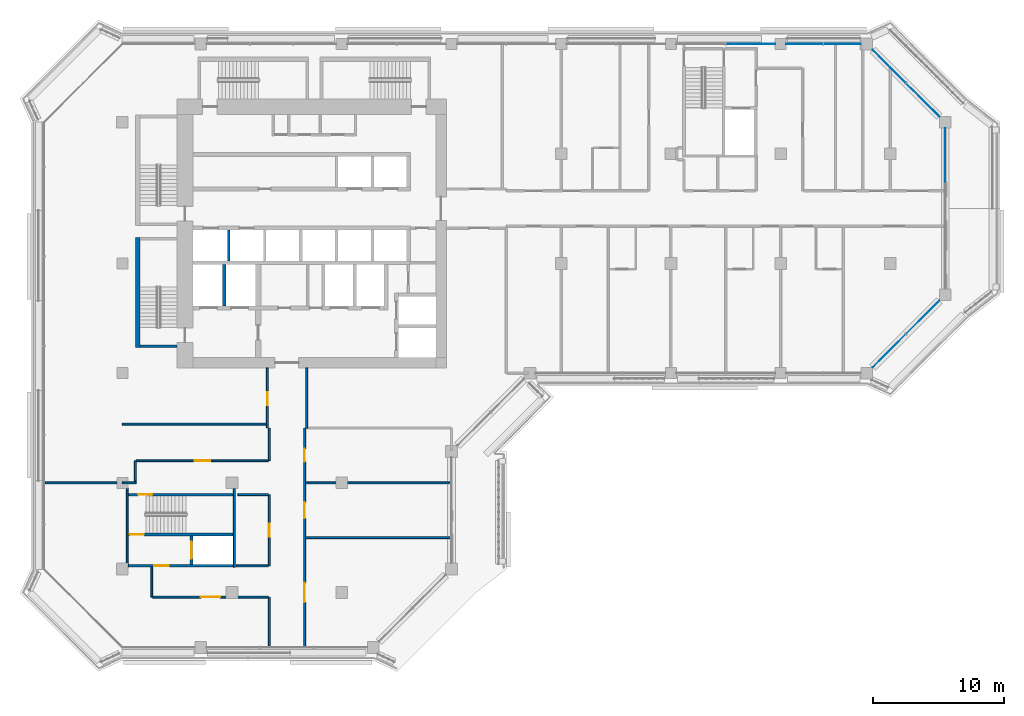
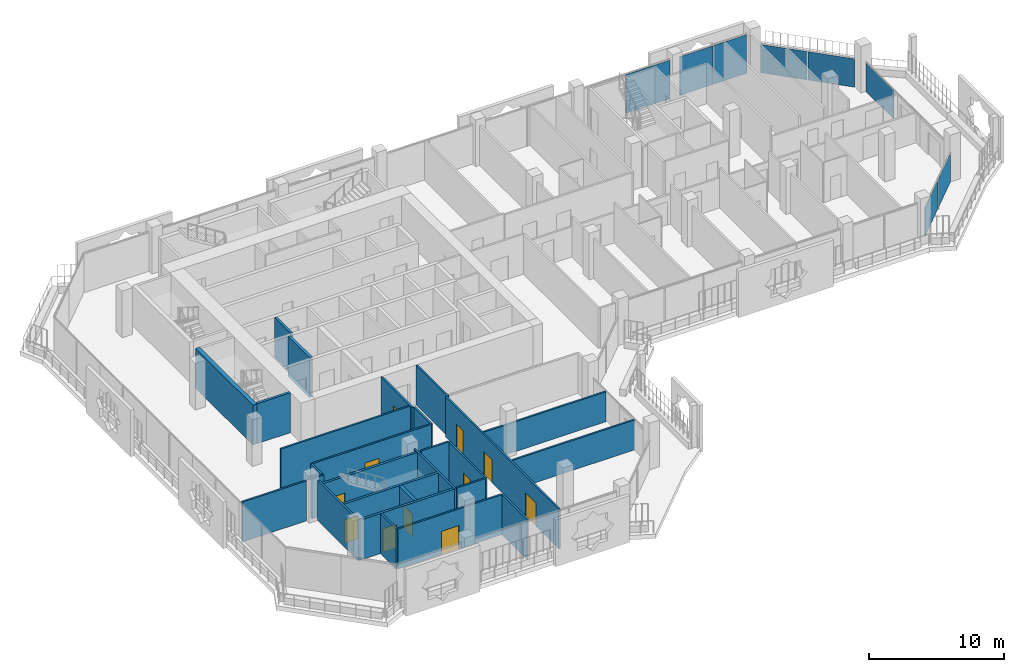
# One storey, part 9 of 21: 27 walls, 11 doors, 8 plates, 11 openings, 4 elements without a shape of their own.
"""IFC4 building model written with IfcOpenShell, lengths in metres."""

from ifc_helpers import new_model, si_unit, direction, frame, frame_2d, origin, origin_2d, place, context, subcontext, project, spatial, rectangle, extrude, material, layer, layer_set, type_object, element, fill, aggregate, save


model = new_model("IFC4")

# Units and contexts
model_context = context("Model", 3, precision=1e-05, world=origin(), true_north=direction((0.0, 1.0)))
body_context = subcontext(model_context, "Body", "Model", "MODEL_VIEW")
ifc_project = project(units=[si_unit("LENGTHUNIT", "METRE"), si_unit("AREAUNIT", "SQUARE_METRE"), si_unit("VOLUMEUNIT", "CUBIC_METRE"), si_unit("PLANEANGLEUNIT", "RADIAN"), si_unit("MASSUNIT", "GRAM", prefix="KILO")], contexts=[model_context])

# Site, building, storey
site_placement = place(None, origin())
site = spatial("IfcSite", under=ifc_project, at=site_placement, CompositionType="ELEMENT")
building_placement = place(site_placement, origin())
building = spatial("IfcBuilding", under=site, at=building_placement, Name="Kawkab Arch Medical Tower", CompositionType="ELEMENT")
storey_placement = place(building_placement, frame((0.0, 0.0, 264.199951171875)))
storey = spatial("IfcBuildingStorey", under=building, at=storey_placement, Name="L61", CompositionType="ELEMENT", Elevation=264.199951171875)

# Curtain wall, plate
ifc_material_1 = material(Name="Bronze anodised aluminium curtain wall frame", Category="aluminium")
ifc_layer_1 = layer(ifc_material_1, 0.159912109375)
ifc_layer_set_1 = layer_set([ifc_layer_1], Name="Bronze anodised aluminium curtain wall frame")
curtain_wall_type_1 = type_object("IfcCurtainWallType", Name="CW1 ward curtain wall", PredefinedType="NOTDEFINED", material=ifc_layer_set_1)
placement = place(storey_placement, origin())
curtain_wall_1 = element("IfcCurtainWall", 1, at=placement, inside=storey, type_object=curtain_wall_type_1, Name="CW1 Ward curtain wall R09", PredefinedType="NOTDEFINED")
ifc_material_2 = material(Name="Tinted insulating glass, bronze low-e coating", Category="glass")
ifc_layer_2 = layer(ifc_material_2, 0.031982421875)
ifc_layer_set_2 = layer_set([ifc_layer_2], Name="Tinted insulating glass, bronze low-e coating")
plate_type_1 = type_object("IfcPlateType", Name="CW1 glazing unit 32", PredefinedType="CURTAIN_PANEL", material=ifc_layer_set_2)
plate_1_placement = place(storey_placement, frame((63.0, -8.5, 0.0), z_axis=(0.0, 0.0, 1.0), x_axis=(0.0, 1.0, 0.0)))
plate_1 = element("IfcPlate", 2, at=plate_1_placement, type_object=plate_type_1, Name="CW1 glazing unit 1.3", PredefinedType="CURTAIN_PANEL", context=body_context, shape_type="SweptSolid", body=[
    extrude(rectangle(XDim=4.10009765625, YDim=0.031982421875, at=origin_2d()), origin(), (0.0, 0.0, 1.0), 2.580078125),
])
aggregate(curtain_wall_1, [plate_1])

# Curtain wall, plates
curtain_wall_2 = element("IfcCurtainWall", 3, at=placement, inside=storey, type_object=curtain_wall_type_1, Name="CW1 Ward curtain wall R11", PredefinedType="NOTDEFINED")
plate_2_placement = place(storey_placement, frame((55.1337890625, 0.0, 0.0), z_axis=(0.0, 0.0, 1.0), x_axis=(-1.0, 0.0, 0.0)))
plate_2 = element("IfcPlate", 4, at=plate_2_placement, type_object=plate_type_1, Name="CW1 glazing unit 1.1", PredefinedType="CURTAIN_PANEL", context=body_context, shape_type="SweptSolid", body=[
    extrude(rectangle(XDim=2.83251953125, YDim=0.031982421875, at=origin_2d()), origin(), (0.0, 0.0, 1.0), 3.47998046875),
])
plate_3_placement = place(storey_placement, frame((52.2412109375, 0.0, 0.0), z_axis=(0.0, 0.0, 1.0), x_axis=(-1.0, 0.0, 0.0)))
plate_3 = element("IfcPlate", 5, at=plate_3_placement, type_object=plate_type_1, Name="CW1 glazing unit 1.2", PredefinedType="CURTAIN_PANEL", context=body_context, shape_type="SweptSolid", body=[
    extrude(rectangle(XDim=2.83251953125, YDim=0.031982421875, at=origin_2d()), origin(), (0.0, 0.0, 1.0), 3.47998046875),
])
plate_4_placement = place(storey_placement, frame((48.1025390625, 0.0, 0.0), z_axis=(0.0, 0.0, 1.0), x_axis=(-1.0, 0.0, 0.0)))
plate_4 = element("IfcPlate", 6, at=plate_4_placement, type_object=plate_type_1, Name="CW1 glazing unit 2.1", PredefinedType="CURTAIN_PANEL", context=body_context, shape_type="SweptSolid", body=[
    extrude(rectangle(XDim=3.7451171875, YDim=0.031982421875, at=origin_2d()), origin(), (0.0, 0.0, 1.0), 3.47998046875),
])
aggregate(curtain_wall_2, [plate_2, plate_3, plate_4])

ifc_material_3 = material(Name="Bronze anodised aluminium curtain wall frame", Category="aluminium")
ifc_layer_3 = layer(ifc_material_3, 0.159912109375)
ifc_layer_set_3 = layer_set([ifc_layer_3], Name="Bronze anodised aluminium curtain wall frame")
curtain_wall_type_2 = type_object("IfcCurtainWallType", Name="CW2 chamfer curtain wall", PredefinedType="NOTDEFINED", material=ifc_layer_set_3)
curtain_wall_3 = element("IfcCurtainWall", 7, at=placement, inside=storey, type_object=curtain_wall_type_2, Name="CW2 Chamfer curtain wall R08", PredefinedType="NOTDEFINED")
ifc_material_4 = material(Name="Tinted insulating glass, bronze low-e coating", Category="glass")
ifc_layer_4 = layer(ifc_material_4, 0.031982421875)
ifc_layer_set_4 = layer_set([ifc_layer_4], Name="Tinted insulating glass, bronze low-e coating")
plate_type_2 = type_object("IfcPlateType", Name="CW2 glazing unit 32", PredefinedType="CURTAIN_PANEL", material=ifc_layer_set_4)
plate_5_placement = place(storey_placement, frame((58.71435546875, -23.485595703125, 0.0), z_axis=(0.0, 0.0, 1.0), x_axis=(0.707106781187, 0.707106781187, 0.0)))
plate_5 = element("IfcPlate", 8, at=plate_5_placement, type_object=plate_type_2, Name="CW2 glazing unit 1.1", PredefinedType="CURTAIN_PANEL", context=body_context, shape_type="SweptSolid", body=[
    extrude(rectangle(XDim=3.576171875, YDim=0.031982421875, at=origin_2d()), origin(), (0.0, 0.0, 1.0), 2.56005859375),
])
plate_6_placement = place(storey_placement, frame((61.28564453125, -20.914306640625, 0.0), z_axis=(0.0, 0.0, 1.0), x_axis=(0.707106781187, 0.707106781187, 0.0)))
plate_6 = element("IfcPlate", 9, at=plate_6_placement, type_object=plate_type_2, Name="CW2 glazing unit 1.2", PredefinedType="CURTAIN_PANEL", context=body_context, shape_type="SweptSolid", body=[
    extrude(rectangle(XDim=3.576171875, YDim=0.031982421875, at=origin_2d()), origin(), (0.0, 0.0, 1.0), 2.56005859375),
])
aggregate(curtain_wall_3, [plate_5, plate_6])

curtain_wall_4 = element("IfcCurtainWall", 10, at=placement, inside=storey, type_object=curtain_wall_type_2, Name="CW2 Chamfer curtain wall R10", PredefinedType="NOTDEFINED")
plate_7_placement = place(storey_placement, frame((61.28564453125, -4.28564453125, 0.0), z_axis=(0.0, 0.0, 1.0), x_axis=(-0.707106781187, 0.707106781187, 0.0)))
plate_7 = element("IfcPlate", 11, at=plate_7_placement, type_object=plate_type_2, Name="CW2 glazing unit 1.1", PredefinedType="CURTAIN_PANEL", context=body_context, shape_type="SweptSolid", body=[
    extrude(rectangle(XDim=3.576171875, YDim=0.031982421875, at=origin_2d()), origin(), (0.0, 0.0, 1.0), 2.56005859375),
])
plate_8_placement = place(storey_placement, frame((58.71435546875, -1.71435546875, 0.0), z_axis=(0.0, 0.0, 1.0), x_axis=(-0.707106781187, 0.707106781187, 0.0)))
plate_8 = element("IfcPlate", 12, at=plate_8_placement, type_object=plate_type_2, Name="CW2 glazing unit 1.2", PredefinedType="CURTAIN_PANEL", context=body_context, shape_type="SweptSolid", body=[
    extrude(rectangle(XDim=3.576171875, YDim=0.031982421875, at=origin_2d()), origin(), (0.0, 0.0, 1.0), 2.56005859375),
])
aggregate(curtain_wall_4, [plate_7, plate_8])

# Wall
ifc_material_5 = material(Name="Concrete C60/75", Category="concrete")
ifc_layer_5 = layer(ifc_material_5, 0.25)
ifc_layer_set_5 = layer_set([ifc_layer_5], Name="Concrete C60/75")
wall_type_1 = type_object("IfcWallType", Name="Core shear wall 250 C60/75", PredefinedType="SHEAR", material=ifc_layer_set_5)
wall_1_placement = place(storey_placement, frame((7.800048828125, -20.050048828125, 0.0), z_axis=(0.0, 0.0, 1.0), x_axis=(0.0, 1.0, 0.0)))
element("IfcWall", 13, at=wall_1_placement, inside=storey, type_object=wall_type_1, Name="L61 core shear wall", PredefinedType="SHEAR", context=body_context, shape_type="SweptSolid", body=[
    extrude(rectangle(XDim=3.150146484375, YDim=0.25, at=frame_2d((1.5751953125, 0.0))), origin(), (0.0, 0.0, 1.0), 3.60009765625),
])

# Wall, opening, door
wall_2_placement = place(storey_placement, frame((5.300048828125, -39.85009765625, 0.0), z_axis=(0.0, 0.0, 1.0), x_axis=(0.0, 1.0, 0.0)))
wall_2 = element("IfcWall", 14, at=wall_2_placement, inside=storey, type_object=wall_type_1, Name="L61 core shear wall", PredefinedType="SHEAR", context=body_context, shape_type="SweptSolid", body=[
    extrude(rectangle(XDim=2.2001953125, YDim=0.25, at=frame_2d((1.10009765625, 0.0))), origin(), (0.0, 0.0, 1.0), 3.60009765625),
])
opening_1_placement = place(wall_2_placement, frame((0.449951171875, 0.0, 0.0)))
opening_1 = element("IfcOpeningElement", 15, at=opening_1_placement, cuts=wall_2, Name="Opening LD2", PredefinedType="OPENING", context=body_context, shape_type="SweptSolid", body=[
    extrude(rectangle(XDim=1.300048828125, YDim=2.10009765625, at=frame_2d((0.64990234375, 1.050048828125))), frame((0.0, 0.135009765625, 0.0), z_axis=(0.0, -1.0, 0.0), x_axis=(1.0, 0.0, 0.0)), (0.0, 0.0, 1.0), 0.27001953125),
])
ifc_material_6 = material(Name="Stainless steel lift door leaf", Category="steel")
door_type_1 = type_object("IfcDoorType", Name="Lift landing door 1300", OperationType="DOUBLE_DOOR_SLIDING", PredefinedType="DOOR", material=ifc_material_6)
door_1_placement = place(opening_1_placement, origin())
door_1 = element("IfcDoor", 16, at=door_1_placement, inside=storey, type_object=door_type_1, Name="L61 Lift landing door SV2", OperationType="DOUBLE_DOOR_SLIDING", OverallHeight=2.10009765625, OverallWidth=1.300048828125, PredefinedType="DOOR", context=body_context, shape_type="SweptSolid", body=[
    extrude(rectangle(XDim=1.300048828125, YDim=2.10009765625, at=frame_2d((0.64990234375, 1.050048828125))), frame((0.0, 0.02490234375, 0.0), z_axis=(0.0, -1.0, 0.0), x_axis=(1.0, 0.0, 0.0)), (0.0, 0.0, 1.0), 0.050048828125),
])
fill(opening_1, door_1)

# Wall
ifc_material_7 = material(Name="Dense concrete blockwork", Category="masonry")
ifc_layer_6 = layer(ifc_material_7, 0.199951171875)
ifc_layer_set_6 = layer_set([ifc_layer_6], Name="Dense concrete blockwork")
wall_type_2 = type_object("IfcWallType", Name="Lift shaft partition 200", PredefinedType="PARTITIONING", material=ifc_layer_set_6)
wall_3_placement = place(storey_placement, frame((8.14990234375, -16.60009765625, 0.0), z_axis=(0.0, 0.0, 1.0), x_axis=(0.0, 1.0, 0.0)))
element("IfcWall", 17, at=wall_3_placement, inside=storey, type_object=wall_type_2, Name="L61 lift shaft partition", PredefinedType="PARTITIONING", context=body_context, shape_type="SweptSolid", body=[
    extrude(rectangle(XDim=2.35009765625, YDim=0.199951171875, at=frame_2d((1.175048828125, 0.0))), origin(), (0.0, 0.0, 1.0), 3.60009765625),
])

# Wall, opening, door
ifc_material_8 = material(Name="Gypsum board partition on steel studs, mineral wool", Category="steel")
ifc_layer_7 = layer(ifc_material_8, 0.14990234375)
ifc_layer_set_7 = layer_set([ifc_layer_7], Name="Gypsum board partition on steel studs, mineral wool")
wall_type_3 = type_object("IfcWallType", Name="Partition 150", PredefinedType="PARTITIONING", material=ifc_layer_set_7)
wall_4_placement = place(storey_placement, frame((2.327880859375, -42.35009765625, 0.0), z_axis=(0.0, 0.0, 1.0), x_axis=(1.0, 0.0, 0.0)))
wall_4 = element("IfcWall", 18, at=wall_4_placement, inside=storey, type_object=wall_type_3, Name="Partition 150 w009", PredefinedType="PARTITIONING", context=body_context, shape_type="SweptSolid", body=[
    extrude(rectangle(XDim=8.84716796875, YDim=0.14990234375, at=frame_2d((4.423583984375, 0.0))), origin(), (0.0, 0.0, 1.0), 3.60009765625),
])
opening_2_placement = place(wall_4_placement, frame((3.674072265625, 0.0, 0.0)))
opening_2 = element("IfcOpeningElement", 19, at=opening_2_placement, cuts=wall_4, Name="Opening W56-003", PredefinedType="OPENING", context=body_context, shape_type="SweptSolid", body=[
    extrude(rectangle(XDim=1.5, YDim=2.10009765625, at=frame_2d((0.75, 1.050048828125))), frame((0.0, 0.0849609375, 0.0), z_axis=(0.0, -1.0, 0.0), x_axis=(1.0, 0.0, 0.0)), (0.0, 0.0, 1.0), 0.169921875),
])
ifc_material_9 = material(Name="Hollow metal door leaf")
door_type_2 = type_object("IfcDoorType", Name="Double door 1500x2100 FD30S", OperationType="NOTDEFINED", PredefinedType="DOOR", material=ifc_material_9)
door_2_placement = place(opening_2_placement, origin())
door_2 = element("IfcDoor", 20, at=door_2_placement, inside=storey, type_object=door_type_2, Name="Door W56-003", OperationType="DOUBLE_DOOR_SINGLE_SWING", OverallHeight=2.10009765625, OverallWidth=1.5, PredefinedType="DOOR", context=body_context, shape_type="SweptSolid", body=[
    extrude(rectangle(XDim=1.5, YDim=2.10009765625, at=frame_2d((0.75, 1.050048828125))), frame((0.0, 0.02490234375, 0.0), z_axis=(0.0, -1.0, 0.0), x_axis=(1.0, 0.0, 0.0)), (0.0, 0.0, 1.0), 0.050048828125),
])
fill(opening_2, door_2)

# Walls
wall_5_placement = place(storey_placement, frame((8.72998046875, -39.949951171875, 0.0), z_axis=(0.0, 0.0, 1.0), x_axis=(1.0, 0.0, 0.0)))
element("IfcWall", 21, at=wall_5_placement, inside=storey, type_object=wall_type_3, Name="Partition 150 w010", PredefinedType="PARTITIONING", context=body_context, shape_type="SweptSolid", body=[
    extrude(rectangle(XDim=2.445068359375, YDim=0.14990234375, at=frame_2d((1.22265625, 0.0))), origin(), (0.0, 0.0, 1.0), 3.60009765625),
])
wall_6_placement = place(storey_placement, frame((14.02490234375, -37.800048828125, 0.0), z_axis=(0.0, 0.0, 1.0), x_axis=(1.0, 0.0, 0.0)))
element("IfcWall", 22, at=wall_6_placement, inside=storey, type_object=wall_type_3, Name="Partition 150 w011", PredefinedType="PARTITIONING", context=body_context, shape_type="SweptSolid", body=[
    extrude(rectangle(XDim=11.09521484375, YDim=0.14990234375, at=frame_2d((5.547607421875, 0.0))), origin(), (0.0, 0.0, 1.0), 2.699951171875),
])
wall_7_placement = place(storey_placement, frame((8.85009765625, -34.5, 0.0), z_axis=(0.0, 0.0, 1.0), x_axis=(1.0, 0.0, 0.0)))
element("IfcWall", 23, at=wall_7_placement, inside=storey, type_object=wall_type_3, Name="Partition 150 w012", PredefinedType="PARTITIONING", context=body_context, shape_type="SweptSolid", body=[
    extrude(rectangle(XDim=2.324951171875, YDim=0.14990234375, at=frame_2d((1.16259765625, 0.0))), origin(), (0.0, 0.0, 1.0), 3.60009765625),
])
wall_8_placement = place(storey_placement, frame((-5.919921875, -33.60009765625, 0.0), z_axis=(0.0, 0.0, 1.0), x_axis=(1.0, 0.0, 0.0)))
element("IfcWall", 24, at=wall_8_placement, inside=storey, type_object=wall_type_3, Name="Partition 150 w013", PredefinedType="PARTITIONING", context=body_context, shape_type="SweptSolid", body=[
    extrude(rectangle(XDim=5.494873046875, YDim=0.14990234375, at=frame_2d((2.74755859375, 0.0))), origin(), (0.0, 0.0, 1.0), 3.60009765625),
])
wall_9_placement = place(storey_placement, frame((0.006103515625, -33.60009765625, 0.0), z_axis=(0.0, 0.0, 1.0), x_axis=(1.0, 0.0, 0.0)))
element("IfcWall", 25, at=wall_9_placement, inside=storey, type_object=wall_type_3, Name="Partition 150 w014", PredefinedType="PARTITIONING", context=body_context, shape_type="SweptSolid", body=[
    extrude(rectangle(XDim=1.04296875, YDim=0.14990234375, at=frame_2d((0.521484375, 0.0))), origin(), (0.0, 0.0, 1.0), 3.60009765625),
])
wall_10_placement = place(storey_placement, frame((14.02490234375, -33.60009765625, 0.0), z_axis=(0.0, 0.0, 1.0), x_axis=(1.0, 0.0, 0.0)))
element("IfcWall", 26, at=wall_10_placement, inside=storey, type_object=wall_type_3, Name="Partition 150 w015", PredefinedType="PARTITIONING", context=body_context, shape_type="SweptSolid", body=[
    extrude(rectangle(XDim=11.09521484375, YDim=0.14990234375, at=frame_2d((5.547607421875, 0.0))), origin(), (0.0, 0.0, 1.0), 2.699951171875),
])

# Wall, opening, door
wall_11_placement = place(storey_placement, frame((1.076904296875, -31.906982421875, 0.0), z_axis=(0.0, 0.0, 1.0), x_axis=(1.0, 0.0, 0.0)))
wall_11 = element("IfcWall", 27, at=wall_11_placement, inside=storey, type_object=wall_type_3, Name="Partition 150 w016", PredefinedType="PARTITIONING", context=body_context, shape_type="SweptSolid", body=[
    extrude(rectangle(XDim=10.09814453125, YDim=0.14990234375, at=frame_2d((5.049072265625, 0.0))), origin(), (0.0, 0.0, 1.0), 3.60009765625),
])
opening_3_placement = place(wall_11_placement, frame((4.448974609375, 0.0, 0.0)))
opening_3 = element("IfcOpeningElement", 28, at=opening_3_placement, cuts=wall_11, Name="Opening W56-028", PredefinedType="OPENING", context=body_context, shape_type="SweptSolid", body=[
    extrude(rectangle(XDim=1.199951171875, YDim=2.10009765625, at=frame_2d((0.60009765625, 1.050048828125))), frame((0.0, 0.0849609375, 0.0), z_axis=(0.0, -1.0, 0.0), x_axis=(1.0, 0.0, 0.0)), (0.0, 0.0, 1.0), 0.169921875),
])
ifc_material_10 = material(Name="Hollow metal door leaf")
door_type_3 = type_object("IfcDoorType", Name="Single door 1200x2100 FD30S", OperationType="NOTDEFINED", PredefinedType="DOOR", material=ifc_material_10)
door_3_placement = place(opening_3_placement, origin())
door_3 = element("IfcDoor", 29, at=door_3_placement, inside=storey, type_object=door_type_3, Name="Door W56-028", OperationType="SINGLE_SWING_LEFT", OverallHeight=2.10009765625, OverallWidth=1.199951171875, PredefinedType="DOOR", context=body_context, shape_type="SweptSolid", body=[
    extrude(rectangle(XDim=1.199951171875, YDim=2.10009765625, at=frame_2d((0.60009765625, 1.050048828125))), frame((0.0, 0.02490234375, 0.0), z_axis=(0.0, -1.0, 0.0), x_axis=(1.0, 0.0, 0.0)), (0.0, 0.0, 1.0), 0.050048828125),
])
fill(opening_3, door_3)

# Walls
wall_12_placement = place(storey_placement, frame((0.0, -29.10009765625, 0.0), z_axis=(0.0, 0.0, 1.0), x_axis=(1.0, 0.0, 0.0)))
element("IfcWall", 30, at=wall_12_placement, inside=storey, type_object=wall_type_3, Name="Partition 150 w018", PredefinedType="PARTITIONING", context=body_context, shape_type="SweptSolid", body=[
    extrude(rectangle(XDim=11.02490234375, YDim=0.14990234375, at=frame_2d((5.512451171875, 0.0))), origin(), (0.0, 0.0, 1.0), 3.60009765625),
])
wall_13_placement = place(storey_placement, frame((1.0, -33.465087890625, 0.0), z_axis=(0.0, 0.0, 1.0), x_axis=(0.0, 1.0, 0.0)))
element("IfcWall", 31, at=wall_13_placement, inside=storey, type_object=wall_type_3, Name="Partition 150 w029", PredefinedType="PARTITIONING", context=body_context, shape_type="SweptSolid", body=[
    extrude(rectangle(XDim=1.55615234375, YDim=0.14990234375, at=frame_2d((0.778076171875, 0.0))), origin(), (0.0, 0.0, 1.0), 3.60009765625),
])
wall_14_placement = place(storey_placement, frame((2.25, -42.346923828125, 0.0), z_axis=(0.0, 0.0, 1.0), x_axis=(0.0, 1.0, 0.0)))
element("IfcWall", 32, at=wall_14_placement, inside=storey, type_object=wall_type_3, Name="Partition 150 w030", PredefinedType="PARTITIONING", context=body_context, shape_type="SweptSolid", body=[
    extrude(rectangle(XDim=2.296875, YDim=0.14990234375, at=frame_2d((1.1484375, 0.0))), origin(), (0.0, 0.0, 1.0), 3.60009765625),
])

# Wall, opening, door
wall_15_placement = place(storey_placement, frame((11.10009765625, -29.39892578125, 0.0), z_axis=(0.0, 0.0, 1.0), x_axis=(0.0, 1.0, 0.0)))
wall_15 = element("IfcWall", 33, at=wall_15_placement, inside=storey, type_object=wall_type_3, Name="Partition 150 w031", PredefinedType="PARTITIONING", context=body_context, shape_type="SweptSolid", body=[
    extrude(rectangle(XDim=4.598876953125, YDim=0.14990234375, at=frame_2d((2.29931640625, 0.0))), origin(), (0.0, 0.0, 1.0), 3.60009765625),
])
opening_4_placement = place(wall_15_placement, frame((1.7490234375, 0.0, 0.0)))
opening_4 = element("IfcOpeningElement", 34, at=opening_4_placement, cuts=wall_15, Name="Opening W56-019", PredefinedType="OPENING", context=body_context, shape_type="SweptSolid", body=[
    extrude(rectangle(XDim=1.0, YDim=2.10009765625, at=frame_2d((0.5, 1.050048828125))), frame((0.0, 0.0849609375, 0.0), z_axis=(0.0, -1.0, 0.0), x_axis=(1.0, 0.0, 0.0)), (0.0, 0.0, 1.0), 0.169921875),
])
ifc_material_11 = material(Name="Hollow metal door leaf")
door_type_4 = type_object("IfcDoorType", Name="Single door 1000x2100 FD30S", OperationType="NOTDEFINED", PredefinedType="DOOR", material=ifc_material_11)
door_4_placement = place(opening_4_placement, origin())
door_4 = element("IfcDoor", 35, at=door_4_placement, inside=storey, type_object=door_type_4, Name="Door W56-019", OperationType="SINGLE_SWING_RIGHT", OverallHeight=2.10009765625, OverallWidth=1.0, PredefinedType="DOOR", context=body_context, shape_type="SweptSolid", body=[
    extrude(rectangle(XDim=1.0, YDim=2.10009765625, at=frame_2d((0.5, 1.050048828125))), frame((0.0, 0.02490234375, 0.0), z_axis=(0.0, -1.0, 0.0), x_axis=(1.0, 0.0, 0.0)), (0.0, 0.0, 1.0), 0.050048828125),
])
fill(opening_4, door_4)

# Wall
wall_16_placement = place(storey_placement, frame((11.25, -46.1201171875, 0.0), z_axis=(0.0, 0.0, 1.0), x_axis=(0.0, 1.0, 0.0)))
element("IfcWall", 36, at=wall_16_placement, inside=storey, type_object=wall_type_3, Name="Partition 150 w032", PredefinedType="PARTITIONING", context=body_context, shape_type="SweptSolid", body=[
    extrude(rectangle(XDim=3.77001953125, YDim=0.14990234375, at=frame_2d((1.885009765625, 0.0))), origin(), (0.0, 0.0, 1.0), 3.60009765625),
])

# Wall, opening, door
wall_17_placement = place(storey_placement, frame((11.25, -39.949951171875, 0.0), z_axis=(0.0, 0.0, 1.0), x_axis=(0.0, 1.0, 0.0)))
wall_17 = element("IfcWall", 37, at=wall_17_placement, inside=storey, type_object=wall_type_3, Name="Partition 150 w033", PredefinedType="PARTITIONING", context=body_context, shape_type="SweptSolid", body=[
    extrude(rectangle(XDim=5.449951171875, YDim=0.14990234375, at=frame_2d((2.72509765625, 0.0))), origin(), (0.0, 0.0, 1.0), 3.60009765625),
])
opening_5_placement = place(wall_17_placement, frame((2.22509765625, 0.0, 0.0)))
opening_5 = element("IfcOpeningElement", 38, at=opening_5_placement, cuts=wall_17, Name="Opening W56-020", PredefinedType="OPENING", context=body_context, shape_type="SweptSolid", body=[
    extrude(rectangle(XDim=1.0, YDim=2.10009765625, at=frame_2d((0.5, 1.050048828125))), frame((0.0, 0.0849609375, 0.0), z_axis=(0.0, -1.0, 0.0), x_axis=(1.0, 0.0, 0.0)), (0.0, 0.0, 1.0), 0.169921875),
])
door_5_placement = place(opening_5_placement, origin())
door_5 = element("IfcDoor", 39, at=door_5_placement, inside=storey, type_object=door_type_4, Name="Door W56-020", OperationType="SINGLE_SWING_RIGHT", OverallHeight=2.10009765625, OverallWidth=1.0, PredefinedType="DOOR", context=body_context, shape_type="SweptSolid", body=[
    extrude(rectangle(XDim=1.0, YDim=2.10009765625, at=frame_2d((0.5, 1.050048828125))), frame((0.0, 0.02490234375, 0.0), z_axis=(0.0, -1.0, 0.0), x_axis=(1.0, 0.0, 0.0)), (0.0, 0.0, 1.0), 0.050048828125),
])
fill(opening_5, door_5)

# Wall
wall_18_placement = place(storey_placement, frame((11.25, -31.906982421875, 0.0), z_axis=(0.0, 0.0, 1.0), x_axis=(0.0, 1.0, 0.0)))
element("IfcWall", 40, at=wall_18_placement, inside=storey, type_object=wall_type_3, Name="Partition 150 w034", PredefinedType="PARTITIONING", context=body_context, shape_type="SweptSolid", body=[
    extrude(rectangle(XDim=2.507080078125, YDim=0.14990234375, at=frame_2d((1.25341796875, 0.0))), origin(), (0.0, 0.0, 1.0), 3.60009765625),
])

# Wall, openings, doors
wall_19_placement = place(storey_placement, frame((13.949951171875, -46.1201171875, 0.0), z_axis=(0.0, 0.0, 1.0), x_axis=(0.0, 1.0, 0.0)))
wall_19 = element("IfcWall", 41, at=wall_19_placement, inside=storey, type_object=wall_type_3, Name="Partition 150 w035", PredefinedType="PARTITIONING", context=body_context, shape_type="SweptSolid", body=[
    extrude(rectangle(XDim=16.72021484375, YDim=0.14990234375, at=frame_2d((8.360107421875, 0.0))), origin(), (0.0, 0.0, 1.0), 3.60009765625),
])
opening_6_placement = place(wall_19_placement, frame((14.1201171875, 0.0, 0.0)))
opening_6 = element("IfcOpeningElement", 42, at=opening_6_placement, cuts=wall_19, Name="Opening W56-021", PredefinedType="OPENING", context=body_context, shape_type="SweptSolid", body=[
    extrude(rectangle(XDim=1.0, YDim=2.10009765625, at=frame_2d((0.5, 1.050048828125))), frame((0.0, 0.0849609375, 0.0), z_axis=(0.0, -1.0, 0.0), x_axis=(1.0, 0.0, 0.0)), (0.0, 0.0, 1.0), 0.169921875),
])
opening_7_placement = place(wall_19_placement, frame((9.820068359375, 0.0, 0.0)))
opening_7 = element("IfcOpeningElement", 43, at=opening_7_placement, cuts=wall_19, Name="Opening W56-029", PredefinedType="OPENING", context=body_context, shape_type="SweptSolid", body=[
    extrude(rectangle(XDim=1.199951171875, YDim=2.10009765625, at=frame_2d((0.60009765625, 1.050048828125))), frame((0.0, 0.0849609375, 0.0), z_axis=(0.0, -1.0, 0.0), x_axis=(1.0, 0.0, 0.0)), (0.0, 0.0, 1.0), 0.169921875),
])
opening_8_placement = place(wall_19_placement, frame((3.3701171875, 0.0, 0.0)))
opening_8 = element("IfcOpeningElement", 44, at=opening_8_placement, cuts=wall_19, Name="Opening W56-004", PredefinedType="OPENING", context=body_context, shape_type="SweptSolid", body=[
    extrude(rectangle(XDim=1.5, YDim=2.10009765625, at=frame_2d((0.75, 1.050048828125))), frame((0.0, 0.0849609375, 0.0), z_axis=(0.0, -1.0, 0.0), x_axis=(1.0, 0.0, 0.0)), (0.0, 0.0, 1.0), 0.169921875),
])
door_6_placement = place(opening_8_placement, origin())
door_6 = element("IfcDoor", 45, at=door_6_placement, inside=storey, type_object=door_type_2, Name="Door W56-004", OperationType="DOUBLE_DOOR_SINGLE_SWING", OverallHeight=2.10009765625, OverallWidth=1.5, PredefinedType="DOOR", context=body_context, shape_type="SweptSolid", body=[
    extrude(rectangle(XDim=1.5, YDim=2.10009765625, at=frame_2d((0.75, 1.050048828125))), frame((0.0, 0.02490234375, 0.0), z_axis=(0.0, -1.0, 0.0), x_axis=(1.0, 0.0, 0.0)), (0.0, 0.0, 1.0), 0.050048828125),
])
fill(opening_8, door_6)
door_7_placement = place(opening_6_placement, origin())
door_7 = element("IfcDoor", 46, at=door_7_placement, inside=storey, type_object=door_type_4, Name="Door W56-021", OperationType="SINGLE_SWING_LEFT", OverallHeight=2.10009765625, OverallWidth=1.0, PredefinedType="DOOR", context=body_context, shape_type="SweptSolid", body=[
    extrude(rectangle(XDim=1.0, YDim=2.10009765625, at=frame_2d((0.5, 1.050048828125))), frame((0.0, 0.02490234375, 0.0), z_axis=(0.0, -1.0, 0.0), x_axis=(1.0, 0.0, 0.0)), (0.0, 0.0, 1.0), 0.050048828125),
])
fill(opening_6, door_7)
door_8_placement = place(opening_7_placement, origin())
door_8 = element("IfcDoor", 47, at=door_8_placement, inside=storey, type_object=door_type_3, Name="Door W56-029", OperationType="SINGLE_SWING_LEFT", OverallHeight=2.10009765625, OverallWidth=1.199951171875, PredefinedType="DOOR", context=body_context, shape_type="SweptSolid", body=[
    extrude(rectangle(XDim=1.199951171875, YDim=2.10009765625, at=frame_2d((0.60009765625, 1.050048828125))), frame((0.0, 0.02490234375, 0.0), z_axis=(0.0, -1.0, 0.0), x_axis=(1.0, 0.0, 0.0)), (0.0, 0.0, 1.0), 0.050048828125),
])
fill(opening_7, door_8)

# Walls
wall_20_placement = place(storey_placement, frame((14.10009765625, -29.39990234375, 0.0), z_axis=(0.0, 0.0, 1.0), x_axis=(0.0, 1.0, 0.0)))
element("IfcWall", 48, at=wall_20_placement, inside=storey, type_object=wall_type_3, Name="Partition 150 w036", PredefinedType="PARTITIONING", context=body_context, shape_type="SweptSolid", body=[
    extrude(rectangle(XDim=4.599853515625, YDim=0.14990234375, at=frame_2d((2.2998046875, 0.0))), origin(), (0.0, 0.0, 1.0), 3.60009765625),
])
ifc_material_12 = material(Name="Concrete C50/60", Category="concrete")
ifc_layer_8 = layer(ifc_material_12, 0.14990234375)
ifc_layer_set_8 = layer_set([ifc_layer_8], Name="Concrete C50/60")
wall_type_4 = type_object("IfcWallType", Name="Stair enclosure wall 150 C50/60", PredefinedType="SHEAR", material=ifc_layer_set_8)
wall_21_placement = place(storey_placement, frame((0.375, -40.050048828125, 0.0), z_axis=(0.0, 0.0, 1.0), x_axis=(0.0, 1.0, 0.0)))
element("IfcWall", 49, at=wall_21_placement, inside=storey, type_object=wall_type_4, Name="L61 stair enclosure wall", PredefinedType="SHEAR", context=body_context, shape_type="SweptSolid", body=[
    extrude(rectangle(XDim=6.025146484375, YDim=0.14990234375, at=frame_2d((3.0126953125, 0.0))), origin(), (0.0, 0.0, 1.0), 3.60009765625),
])
wall_22_placement = place(storey_placement, frame((8.574951171875, -40.050048828125, 0.0), z_axis=(0.0, 0.0, 1.0), x_axis=(0.0, 1.0, 0.0)))
element("IfcWall", 50, at=wall_22_placement, inside=storey, type_object=wall_type_4, Name="L61 stair enclosure wall", PredefinedType="SHEAR", context=body_context, shape_type="SweptSolid", body=[
    extrude(rectangle(XDim=6.0, YDim=0.14990234375, at=frame_2d((3.0, 0.0))), origin(), (0.0, 0.0, 1.0), 3.60009765625),
])
ifc_material_13 = material(Name="Concrete C50/60", Category="concrete")
ifc_layer_9 = layer(ifc_material_13, 0.199951171875)
ifc_layer_set_9 = layer_set([ifc_layer_9], Name="Concrete C50/60")
wall_type_5 = type_object("IfcWallType", Name="Stair enclosure wall 200 C50/60", PredefinedType="SHEAR", material=ifc_layer_set_9)
wall_23_placement = place(storey_placement, frame((1.35009765625, -23.14990234375, 0.0), z_axis=(0.0, 0.0, 1.0), x_axis=(1.0, 0.0, 0.0)))
element("IfcWall", 51, at=wall_23_placement, inside=storey, type_object=wall_type_5, Name="L61 stair enclosure wall", PredefinedType="SHEAR", context=body_context, shape_type="SweptSolid", body=[
    extrude(rectangle(XDim=2.849853515625, YDim=0.199951171875, at=frame_2d((1.4248046875, 0.0))), origin(), (0.0, 0.0, 1.0), 3.60009765625),
])

# Wall, opening, door
wall_24_placement = place(storey_placement, frame((0.449951171875, -34.5, 0.0), z_axis=(0.0, 0.0, 1.0), x_axis=(1.0, 0.0, 0.0)))
wall_24 = element("IfcWall", 52, at=wall_24_placement, inside=storey, type_object=wall_type_5, Name="L61 stair enclosure wall", PredefinedType="SHEAR", context=body_context, shape_type="SweptSolid", body=[
    extrude(rectangle(XDim=8.050048828125, YDim=0.199951171875, at=frame_2d((4.02490234375, 0.0))), origin(), (0.0, 0.0, 1.0), 3.60009765625),
])
opening_9_placement = place(wall_24_placement, frame((0.75, 0.0, 0.0)))
opening_9 = element("IfcOpeningElement", 53, at=opening_9_placement, cuts=wall_24, Name="Opening SD", PredefinedType="OPENING", context=body_context, shape_type="SweptSolid", body=[
    extrude(rectangle(XDim=1.10009765625, YDim=2.10009765625, at=frame_2d((0.550048828125, 1.050048828125))), frame((0.0, 0.10986328125, 0.0), z_axis=(0.0, -1.0, 0.0), x_axis=(1.0, 0.0, 0.0)), (0.0, 0.0, 1.0), 0.219970703125),
])
ifc_material_14 = material(Name="Hollow metal fire door leaf")
door_type_5 = type_object("IfcDoorType", Name="Exit stair door 1100", OperationType="SINGLE_SWING_LEFT", PredefinedType="DOOR", material=ifc_material_14)
door_9_placement = place(opening_9_placement, origin())
door_9 = element("IfcDoor", 54, at=door_9_placement, inside=storey, type_object=door_type_5, Name="L61 Exit stair ST6 door", OperationType="SINGLE_SWING_LEFT", OverallHeight=2.10009765625, OverallWidth=1.10009765625, PredefinedType="DOOR", context=body_context, shape_type="SweptSolid", body=[
    extrude(rectangle(XDim=1.10009765625, YDim=2.10009765625, at=frame_2d((0.550048828125, 1.050048828125))), frame((0.0, 0.02490234375, 0.0), z_axis=(0.0, -1.0, 0.0), x_axis=(1.0, 0.0, 0.0)), (0.0, 0.0, 1.0), 0.050048828125),
])
fill(opening_9, door_9)

wall_25_placement = place(storey_placement, frame((0.449951171875, -37.550048828125, 0.0), z_axis=(0.0, 0.0, 1.0), x_axis=(1.0, 0.0, 0.0)))
wall_25 = element("IfcWall", 55, at=wall_25_placement, inside=storey, type_object=wall_type_5, Name="L61 stair enclosure wall", PredefinedType="SHEAR", context=body_context, shape_type="SweptSolid", body=[
    extrude(rectangle(XDim=8.050048828125, YDim=0.199951171875, at=frame_2d((4.02490234375, 0.0))), origin(), (0.0, 0.0, 1.0), 3.60009765625),
])
opening_10_placement = place(wall_25_placement, frame((0.10009765625, 0.0, 0.0)))
opening_10 = element("IfcOpeningElement", 56, at=opening_10_placement, cuts=wall_25, Name="Opening SD", PredefinedType="OPENING", context=body_context, shape_type="SweptSolid", body=[
    extrude(rectangle(XDim=1.10009765625, YDim=2.10009765625, at=frame_2d((0.550048828125, 1.050048828125))), frame((0.0, 0.10986328125, 0.0), z_axis=(0.0, -1.0, 0.0), x_axis=(1.0, 0.0, 0.0)), (0.0, 0.0, 1.0), 0.219970703125),
])
door_10_placement = place(opening_10_placement, frame((1.10009765625, 0.0, 0.0), z_axis=(0.0, 0.0, 1.0), x_axis=(-1.0, 0.0, 0.0)))
door_10 = element("IfcDoor", 57, at=door_10_placement, inside=storey, type_object=door_type_5, Name="L61 Exit stair ST6 lobby door", OperationType="SINGLE_SWING_LEFT", OverallHeight=2.10009765625, OverallWidth=1.10009765625, PredefinedType="DOOR", context=body_context, shape_type="SweptSolid", body=[
    extrude(rectangle(XDim=1.10009765625, YDim=2.10009765625, at=frame_2d((0.550048828125, 1.050048828125))), frame((0.0, 0.02490234375, 0.0), z_axis=(0.0, -1.0, 0.0), x_axis=(1.0, 0.0, 0.0)), (0.0, 0.0, 1.0), 0.050048828125),
])
fill(opening_10, door_10)

wall_26_placement = place(storey_placement, frame((0.449951171875, -39.949951171875, 0.0), z_axis=(0.0, 0.0, 1.0), x_axis=(1.0, 0.0, 0.0)))
wall_26 = element("IfcWall", 58, at=wall_26_placement, inside=storey, type_object=wall_type_5, Name="L61 stair enclosure wall", PredefinedType="SHEAR", context=body_context, shape_type="SweptSolid", body=[
    extrude(rectangle(XDim=8.050048828125, YDim=0.199951171875, at=frame_2d((4.02490234375, 0.0))), origin(), (0.0, 0.0, 1.0), 3.60009765625),
])
opening_11_placement = place(wall_26_placement, frame((2.0, 0.0, 0.0)))
opening_11 = element("IfcOpeningElement", 59, at=opening_11_placement, cuts=wall_26, Name="Opening FD", PredefinedType="OPENING", context=body_context, shape_type="SweptSolid", body=[
    extrude(rectangle(XDim=1.10009765625, YDim=2.10009765625, at=frame_2d((0.550048828125, 1.050048828125))), frame((0.0, 0.10986328125, 0.0), z_axis=(0.0, -1.0, 0.0), x_axis=(1.0, 0.0, 0.0)), (0.0, 0.0, 1.0), 0.219970703125),
])
ifc_material_15 = material(Name="Hollow metal fire door leaf")
door_type_6 = type_object("IfcDoorType", Name="Firefighting lobby door 1100", OperationType="SINGLE_SWING_LEFT", PredefinedType="DOOR", material=ifc_material_15)
door_11_placement = place(opening_11_placement, origin())
door_11 = element("IfcDoor", 60, at=door_11_placement, inside=storey, type_object=door_type_6, Name="L61 Service lift lobby door SV2", OperationType="SINGLE_SWING_LEFT", OverallHeight=2.10009765625, OverallWidth=1.10009765625, PredefinedType="DOOR", context=body_context, shape_type="SweptSolid", body=[
    extrude(rectangle(XDim=1.10009765625, YDim=2.10009765625, at=frame_2d((0.550048828125, 1.050048828125))), frame((0.0, 0.02490234375, 0.0), z_axis=(0.0, -1.0, 0.0), x_axis=(1.0, 0.0, 0.0)), (0.0, 0.0, 1.0), 0.050048828125),
])
fill(opening_11, door_11)

# Wall
ifc_material_16 = material(Name="Concrete C50/60", Category="concrete")
ifc_layer_10 = layer(ifc_material_16, 0.35009765625)
ifc_layer_set_10 = layer_set([ifc_layer_10], Name="Concrete C50/60")
wall_type_6 = type_object("IfcWallType", Name="Stair enclosure wall 350 C50/60", PredefinedType="SHEAR", material=ifc_layer_set_10)
wall_27_placement = place(storey_placement, frame((1.175048828125, -23.25, 0.0), z_axis=(0.0, 0.0, 1.0), x_axis=(0.0, 1.0, 0.0)))
element("IfcWall", 61, at=wall_27_placement, inside=storey, type_object=wall_type_6, Name="L61 stair enclosure wall", PredefinedType="SHEAR", context=body_context, shape_type="SweptSolid", body=[
    extrude(rectangle(XDim=8.449951171875, YDim=0.35009765625, at=frame_2d((4.22509765625, 0.0))), origin(), (0.0, 0.0, 1.0), 3.60009765625),
])

save(model, "model.ifc")
